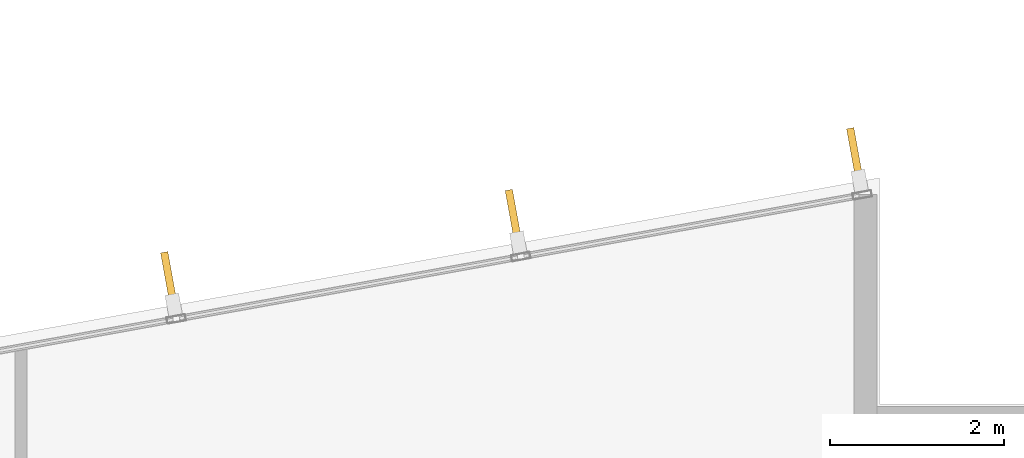
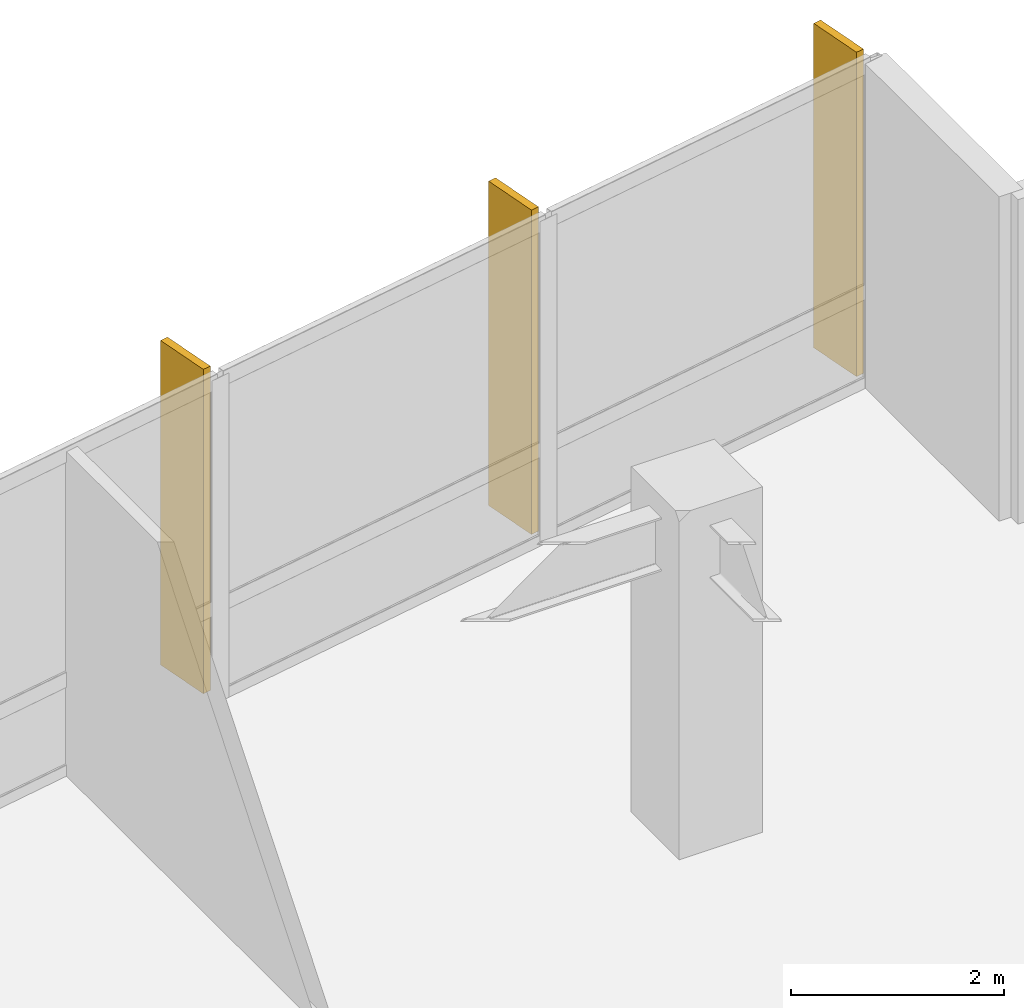
# One storey, part 21 of 21: 3 shading devices.
"""IFC4 building model written with IfcOpenShell, lengths in metres."""

from ifc_helpers import new_model, si_unit, direction, frame, origin, origin_2d, place, context, subcontext, project, spatial, rectangle, extrude, material, layer, layer_set, type_object, element, save


model = new_model("IFC4")

# Units and contexts
model_context = context("Model", 3, precision=1e-05, world=origin(), true_north=direction((0.0, 1.0)))
body_context = subcontext(model_context, "Body", "Model", "MODEL_VIEW")
ifc_project = project(units=[si_unit("LENGTHUNIT", "METRE"), si_unit("AREAUNIT", "SQUARE_METRE"), si_unit("VOLUMEUNIT", "CUBIC_METRE"), si_unit("PLANEANGLEUNIT", "RADIAN"), si_unit("MASSUNIT", "GRAM", prefix="KILO")], contexts=[model_context])

# Site, building, storey
site_placement = place(None, origin())
site = spatial("IfcSite", under=ifc_project, at=site_placement, CompositionType="ELEMENT")
building_placement = place(site_placement, origin())
building = spatial("IfcBuilding", under=site, at=building_placement, Name="Varnakote Quay Hospital", CompositionType="ELEMENT")
storey_placement = place(building_placement, frame((0.0, 0.0, 42.25)))
storey = spatial("IfcBuildingStorey", under=building, at=storey_placement, Name="L10", CompositionType="ELEMENT", Elevation=42.25)

# Shading devices
ifc_material = material(Name="Anodised aluminium 6063-T6 Bronze", Category="aluminium")
ifc_layer = layer(ifc_material, 0.0849609375)
ifc_layer_set = layer_set([ifc_layer], Name="Anodised aluminium 6063-T6 Bronze")
shading_device_type = type_object("IfcShadingDeviceType", Name="SHD-BRONZE-FIN-620", PredefinedType="USERDEFINED", material=ifc_layer_set)
for number, where, z_axis, x_axis, name in (
    (1, (55.319580078125, 34.664306640625, 0.0), (0.0, 0.0, 1.0), (0.177771795263, -0.984071739666, 0.0), "L10 Anodised Bronze Vertical Shading FIN"),
    (2, (51.393798828125, 33.954833984375, 0.0), (0.0, 0.0, 1.0), (0.177771795263, -0.984071739666, 0.0), "L10 Anodised Bronze Vertical Shading FIN"),
    (3, (47.43115234375, 33.23876953125, 0.0), (0.0, 0.0, 1.0), (0.177771795263, -0.984071739666, 0.0), "L10 Anodised Bronze Vertical Shading FIN"),
):
    element("IfcShadingDevice", number, at=place(storey_placement, frame(where, z_axis=z_axis, x_axis=x_axis)), inside=storey, type_object=shading_device_type, Name=name, ObjectType="FIN", PredefinedType="USERDEFINED", context=body_context, shape_type="SweptSolid", body=[
        extrude(rectangle(XDim=0.6201171875, YDim=0.0849609375, at=origin_2d()), origin(), (0.0, 0.0, 1.0), 3.7099609375),
    ])

save(model, "model.ifc")
